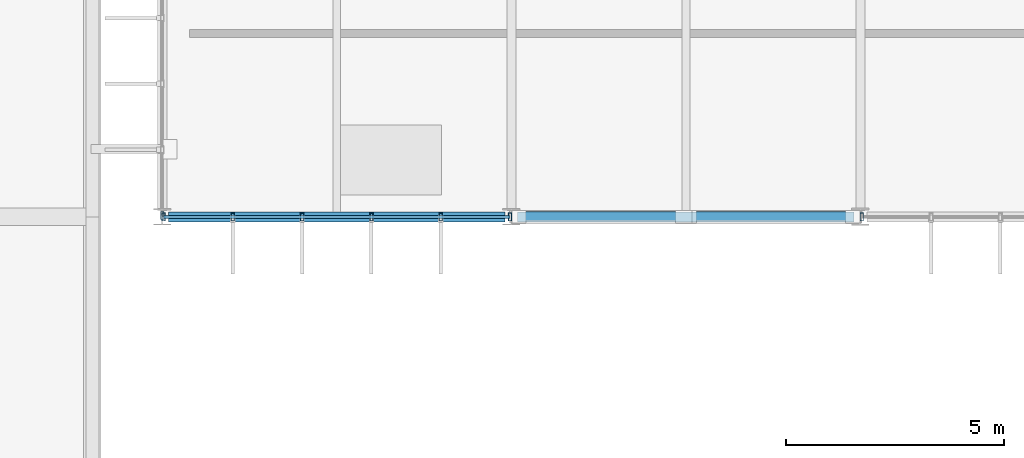
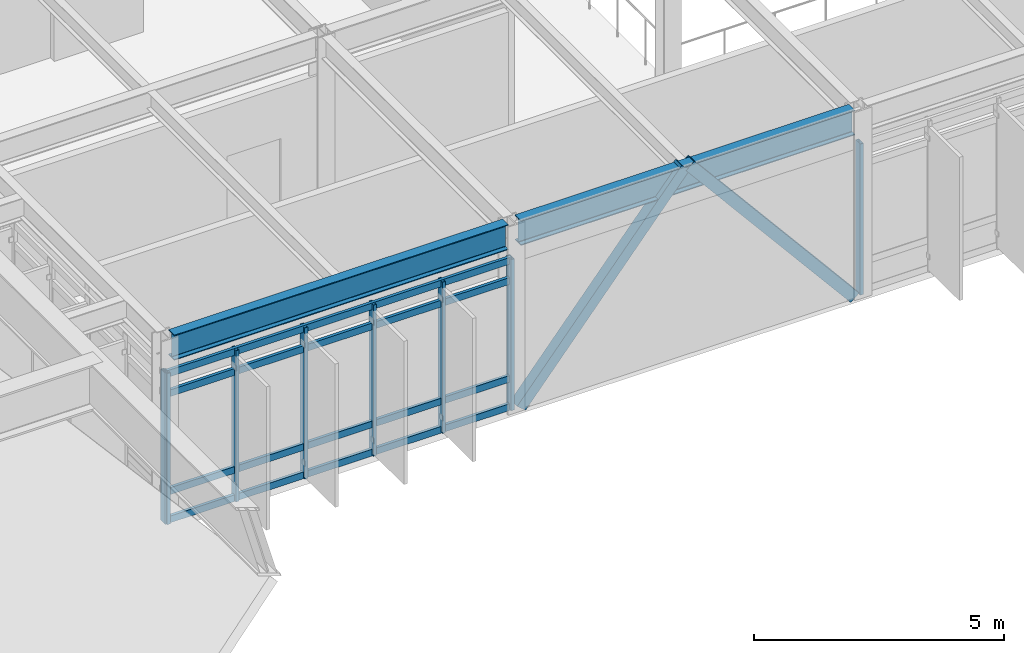
# One storey, part 35 of 104: 14 members, 2 beams, 3 elements without a shape of their own.
"""IFC4 building model written with IfcOpenShell, lengths in metres."""

from ifc_helpers import new_model, si_unit, direction, frame, origin, origin_2d, place, context, subcontext, project, spatial, hollow_rectangle, i_section, extrude, material, material_profile, profile_set, type_object, element, aggregate, save


model = new_model("IFC4")

# Units and contexts
model_context = context("Model", 3, precision=1e-05, world=origin(), true_north=direction((0.0, 1.0)))
body_context = subcontext(model_context, "Body", "Model", "MODEL_VIEW")
ifc_project = project(units=[si_unit("LENGTHUNIT", "METRE"), si_unit("AREAUNIT", "SQUARE_METRE"), si_unit("VOLUMEUNIT", "CUBIC_METRE"), si_unit("PLANEANGLEUNIT", "RADIAN"), si_unit("MASSUNIT", "GRAM", prefix="KILO")], contexts=[model_context])

# Site, building, storey
site_placement = place(None, origin())
site = spatial("IfcSite", under=ifc_project, at=site_placement, CompositionType="ELEMENT")
building_placement = place(site_placement, origin())
building = spatial("IfcBuilding", under=site, at=building_placement, Name="Zulena Civic Courthouse", CompositionType="ELEMENT")
storey_placement = place(building_placement, frame((0.0, 0.0, 10.800048828125)))
storey = spatial("IfcBuildingStorey", under=building, at=storey_placement, Name="L02", CompositionType="ELEMENT", Elevation=10.800048828125)

# Members
ifc_material_1 = material(Name="Steel ASTM A500 Grade C", Category="steel")
ifc_material_profile_1 = material_profile(ifc_material_1, hollow_rectangle(XDim=0.25390625, YDim=0.25390625, WallThickness=0.01171875, at=origin_2d()), Name="HSS10X10X1/2")
ifc_profile_set_1 = profile_set([ifc_material_profile_1], Name="Steel ASTM A500 Grade C")
member_type_1 = type_object("IfcMemberType", Name="Brace_HSS10", PredefinedType="BRACE", material=ifc_profile_set_1)
for number, where, z_axis, x_axis, name in (
    (1, (76.14990234375, 15.199951171875, 0.010009765625), (0.641014438311, 0.0, 0.767528820225), (0.0, 1.0, 0.0), "brace:V4:L02:4:0"),
    (2, (83.85009765625, 15.199951171875, 0.010009765625), (-0.641014438311, 0.0, 0.767528820225), (0.0, -1.0, 0.0), "brace:V4:L02:4:1"),
):
    element("IfcMember", number, at=place(storey_placement, frame(where, z_axis=z_axis, x_axis=x_axis)), inside=storey, type_object=member_type_1, Name=name, PredefinedType="BRACE", context=body_context, shape_type="SweptSolid", body=[
        extrude(hollow_rectangle(XDim=0.25390625, YDim=0.25390625, WallThickness=0.01171875, at=origin_2d()), origin(), (0.0, 0.0, 1.0), 5.92822265625),
    ])

# Curtain wall, member
ifc_material_2 = material(Name="Double-silver low-E laminated solar-control glass", Category="glass")
curtain_wall_type_1 = type_object("IfcCurtainWallType", Name="CW_7540x3690", PredefinedType="USERDEFINED", material=ifc_material_2)
curtain_wall_1_placement = place(storey_placement, origin())
curtain_wall_1 = element("IfcCurtainWall", 3, at=curtain_wall_1_placement, inside=storey, type_object=curtain_wall_type_1, Name="cw:V4:L02:0:0", ObjectType="UNITISED CURTAIN WALL", PredefinedType="USERDEFINED")
ifc_material_3 = material(Name="Bronze anodised thermally broken aluminium AA6063-T6", Category="aluminium")
ifc_material_profile_2 = material_profile(ifc_material_3, hollow_rectangle(XDim=0.074951171875, YDim=0.179931640625, WallThickness=0.0048828125, at=origin_2d()), Name="CWM180X75X5")
ifc_profile_set_2 = profile_set([ifc_material_profile_2], Name="Bronze anodised thermally broken aluminium AA6063-T6")
member_type_2 = type_object("IfcMemberType", Name="CWMullion_180x75", PredefinedType="MULLION", material=ifc_profile_set_2)
member_1_placement = place(storey_placement, frame((68.0, 15.22998046875, 0.0), z_axis=(0.0, 0.0, 1.0), x_axis=(1.0, 0.0, 0.0)))
member_1 = element("IfcMember", 4, at=member_1_placement, type_object=member_type_2, Name="cw:V4:L02:0:0:mull:0", PredefinedType="MULLION", context=body_context, shape_type="SweptSolid", body=[
    extrude(hollow_rectangle(XDim=0.074951171875, YDim=0.179931640625, WallThickness=0.0048828125, at=origin_2d()), origin(), (0.0, 0.0, 1.0), 3.68994140625),
])
aggregate(curtain_wall_1, [member_1])

curtain_wall_type_2 = type_object("IfcCurtainWallType", Name="CW_7940x3690", PredefinedType="USERDEFINED", material=ifc_material_2)
curtain_wall_2_placement = place(storey_placement, origin())
curtain_wall_2 = element("IfcCurtainWall", 5, at=curtain_wall_2_placement, inside=storey, type_object=curtain_wall_type_2, Name="cw:V4:L02:3:4", ObjectType="UNITISED CURTAIN WALL", PredefinedType="USERDEFINED")
member_2_placement = place(storey_placement, frame((84.030029296875, 15.199951171875, 0.0), z_axis=(0.0, 0.0, 1.0), x_axis=(1.0, 0.0, 0.0)))
member_2 = element("IfcMember", 6, at=member_2_placement, type_object=member_type_2, Name="cw:V4:L02:3:4:mull:5", PredefinedType="MULLION", context=body_context, shape_type="SweptSolid", body=[
    extrude(hollow_rectangle(XDim=0.074951171875, YDim=0.179931640625, WallThickness=0.0048828125, at=origin_2d()), origin(), (0.0, 0.0, 1.0), 3.68994140625),
])
aggregate(curtain_wall_2, [member_2])

# Curtain wall, members
curtain_wall_3_placement = place(storey_placement, origin())
curtain_wall_3 = element("IfcCurtainWall", 7, at=curtain_wall_3_placement, inside=storey, type_object=curtain_wall_type_2, Name="cw:V4:L02:3:6", ObjectType="UNITISED CURTAIN WALL", PredefinedType="USERDEFINED")
member_3_placement = place(storey_placement, frame((75.969970703125, 15.199951171875, 0.0), z_axis=(0.0, 0.0, 1.0), x_axis=(1.0, 0.0, 0.0)))
member_3 = element("IfcMember", 8, at=member_3_placement, type_object=member_type_2, Name="cw:V4:L02:3:6:mull:0", PredefinedType="MULLION", context=body_context, shape_type="SweptSolid", body=[
    extrude(hollow_rectangle(XDim=0.074951171875, YDim=0.179931640625, WallThickness=0.0048828125, at=origin_2d()), origin(), (0.0, 0.0, 1.0), 3.68994140625),
])
member_4_placement = place(storey_placement, frame((74.382080078125, 15.199951171875, 0.0), z_axis=(0.0, 0.0, 1.0), x_axis=(1.0, 0.0, 0.0)))
member_4 = element("IfcMember", 9, at=member_4_placement, type_object=member_type_2, Name="cw:V4:L02:3:6:mull:1", PredefinedType="MULLION", context=body_context, shape_type="SweptSolid", body=[
    extrude(hollow_rectangle(XDim=0.074951171875, YDim=0.179931640625, WallThickness=0.0048828125, at=origin_2d()), origin(), (0.0, 0.0, 1.0), 3.68994140625),
])
member_5_placement = place(storey_placement, frame((72.7939453125, 15.199951171875, 0.0), z_axis=(0.0, 0.0, 1.0), x_axis=(1.0, 0.0, 0.0)))
member_5 = element("IfcMember", 10, at=member_5_placement, type_object=member_type_2, Name="cw:V4:L02:3:6:mull:2", PredefinedType="MULLION", context=body_context, shape_type="SweptSolid", body=[
    extrude(hollow_rectangle(XDim=0.074951171875, YDim=0.179931640625, WallThickness=0.0048828125, at=origin_2d()), origin(), (0.0, 0.0, 1.0), 3.68994140625),
])
member_6_placement = place(storey_placement, frame((71.2060546875, 15.199951171875, 0.0), z_axis=(0.0, 0.0, 1.0), x_axis=(1.0, 0.0, 0.0)))
member_6 = element("IfcMember", 11, at=member_6_placement, type_object=member_type_2, Name="cw:V4:L02:3:6:mull:3", PredefinedType="MULLION", context=body_context, shape_type="SweptSolid", body=[
    extrude(hollow_rectangle(XDim=0.074951171875, YDim=0.179931640625, WallThickness=0.0048828125, at=origin_2d()), origin(), (0.0, 0.0, 1.0), 3.68994140625),
])
member_7_placement = place(storey_placement, frame((69.617919921875, 15.199951171875, 0.0), z_axis=(0.0, 0.0, 1.0), x_axis=(1.0, 0.0, 0.0)))
member_7 = element("IfcMember", 12, at=member_7_placement, type_object=member_type_2, Name="cw:V4:L02:3:6:mull:4", PredefinedType="MULLION", context=body_context, shape_type="SweptSolid", body=[
    extrude(hollow_rectangle(XDim=0.074951171875, YDim=0.179931640625, WallThickness=0.0048828125, at=origin_2d()), origin(), (0.0, 0.0, 1.0), 3.68994140625),
])
member_8_placement = place(storey_placement, frame((68.030029296875, 15.199951171875, 0.0), z_axis=(0.0, 0.0, 1.0), x_axis=(1.0, 0.0, 0.0)))
member_8 = element("IfcMember", 13, at=member_8_placement, type_object=member_type_2, Name="cw:V4:L02:3:6:mull:5", PredefinedType="MULLION", context=body_context, shape_type="SweptSolid", body=[
    extrude(hollow_rectangle(XDim=0.074951171875, YDim=0.179931640625, WallThickness=0.0048828125, at=origin_2d()), origin(), (0.0, 0.0, 1.0), 3.68994140625),
])
ifc_material_profile_3 = material_profile(ifc_material_3, hollow_rectangle(XDim=0.070068359375, YDim=0.1650390625, WallThickness=0.00390625, at=origin_2d()), Name="CWT165X70X4")
ifc_profile_set_3 = profile_set([ifc_material_profile_3], Name="Bronze anodised thermally broken aluminium AA6063-T6")
member_type_3 = type_object("IfcMemberType", Name="CWTransom_165x70", PredefinedType="USERDEFINED", material=ifc_profile_set_3)
member_9_placement = place(storey_placement, frame((75.969970703125, 15.199951171875, 0.06005859375), z_axis=(-1.0, 0.0, 0.0), x_axis=(0.0, -1.0, 0.0)))
member_9 = element("IfcMember", 14, at=member_9_placement, type_object=member_type_3, Name="cw:V4:L02:3:6:tran:0", ObjectType="TRANSOM", PredefinedType="USERDEFINED", context=body_context, shape_type="SweptSolid", body=[
    extrude(hollow_rectangle(XDim=0.070068359375, YDim=0.1650390625, WallThickness=0.00390625, at=origin_2d()), origin(), (0.0, 0.0, 1.0), 7.93994140625),
])
member_10_placement = place(storey_placement, frame((75.969970703125, 15.199951171875, 0.75), z_axis=(-1.0, 0.0, 0.0), x_axis=(0.0, -1.0, 0.0)))
member_10 = element("IfcMember", 15, at=member_10_placement, type_object=member_type_3, Name="cw:V4:L02:3:6:tran:1", ObjectType="TRANSOM", PredefinedType="USERDEFINED", context=body_context, shape_type="SweptSolid", body=[
    extrude(hollow_rectangle(XDim=0.070068359375, YDim=0.1650390625, WallThickness=0.00390625, at=origin_2d()), origin(), (0.0, 0.0, 1.0), 7.93994140625),
])
member_11_placement = place(storey_placement, frame((75.969970703125, 15.199951171875, 3.139892578125), z_axis=(-1.0, 0.0, 0.0), x_axis=(0.0, -1.0, 0.0)))
member_11 = element("IfcMember", 16, at=member_11_placement, type_object=member_type_3, Name="cw:V4:L02:3:6:tran:2", ObjectType="TRANSOM", PredefinedType="USERDEFINED", context=body_context, shape_type="SweptSolid", body=[
    extrude(hollow_rectangle(XDim=0.070068359375, YDim=0.1650390625, WallThickness=0.00390625, at=origin_2d()), origin(), (0.0, 0.0, 1.0), 7.93994140625),
])
member_12_placement = place(storey_placement, frame((75.969970703125, 15.199951171875, 3.6298828125), z_axis=(-1.0, 0.0, 0.0), x_axis=(0.0, -1.0, 0.0)))
member_12 = element("IfcMember", 17, at=member_12_placement, type_object=member_type_3, Name="cw:V4:L02:3:6:tran:3", ObjectType="TRANSOM", PredefinedType="USERDEFINED", context=body_context, shape_type="SweptSolid", body=[
    extrude(hollow_rectangle(XDim=0.070068359375, YDim=0.1650390625, WallThickness=0.00390625, at=origin_2d()), origin(), (0.0, 0.0, 1.0), 7.93994140625),
])
aggregate(curtain_wall_3, [member_3, member_4, member_5, member_6, member_7, member_8, member_9, member_10, member_11, member_12])

# Beams
ifc_material_4 = material(Name="Steel ASTM A992 Grade 50", Category="steel")
ifc_material_profile_4 = material_profile(ifc_material_4, i_section(OverallWidth=0.22998046875, OverallDepth=0.616943359375, WebThickness=0.01318359375, FlangeThickness=0.022216796875, FilletRadius=0.0126953125, at=origin_2d()), Name="W24X94")
ifc_profile_set_4 = profile_set([ifc_material_profile_4], Name="Steel ASTM A992 Grade 50")
beam_type = type_object("IfcBeamType", Name="Spandrel_W24X94", PredefinedType="SPANDREL", material=ifc_profile_set_4)
for number, where, z_axis, x_axis, name in (
    (18, (68.14501953125, 15.199951171875, 4.281494140625), (1.0, 0.0, 0.0), (0.0, 1.0, 0.0), "beam:X:V4:L02:15.2:68.0_76.0"),
    (19, (76.14501953125, 15.199951171875, 4.281494140625), (1.0, 0.0, 0.0), (0.0, 1.0, 0.0), "beam:X:V4:L02:15.2:76.0_84.0"),
):
    element("IfcBeam", number, at=place(storey_placement, frame(where, z_axis=z_axis, x_axis=x_axis)), inside=storey, type_object=beam_type, Name=name, PredefinedType="SPANDREL", context=body_context, shape_type="SweptSolid", body=[
        extrude(i_section(OverallWidth=0.22998046875, OverallDepth=0.616943359375, WebThickness=0.01318359375, FlangeThickness=0.022216796875, FilletRadius=0.0126953125, at=origin_2d()), origin(), (0.0, 0.0, 1.0), 7.7099609375),
    ])

save(model, "model.ifc")
